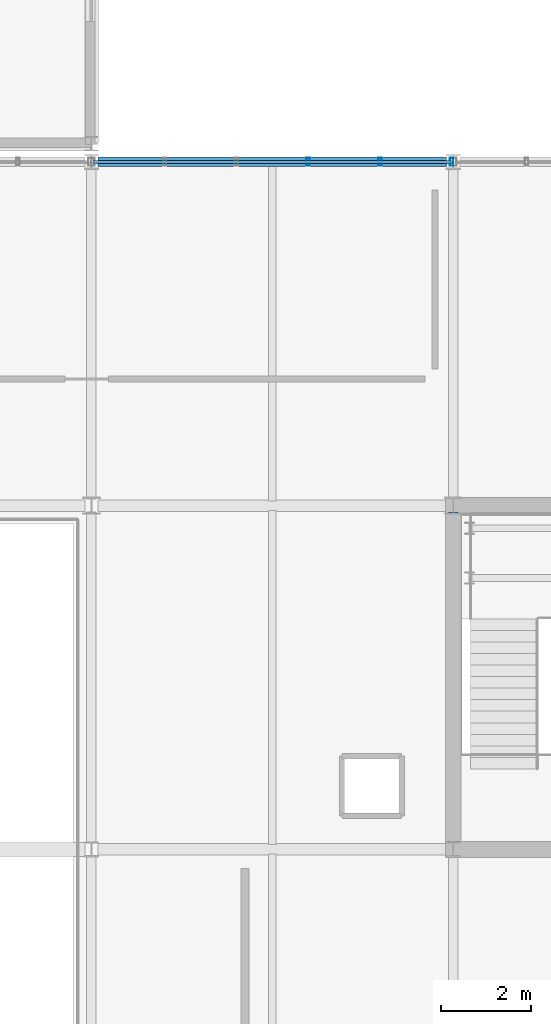
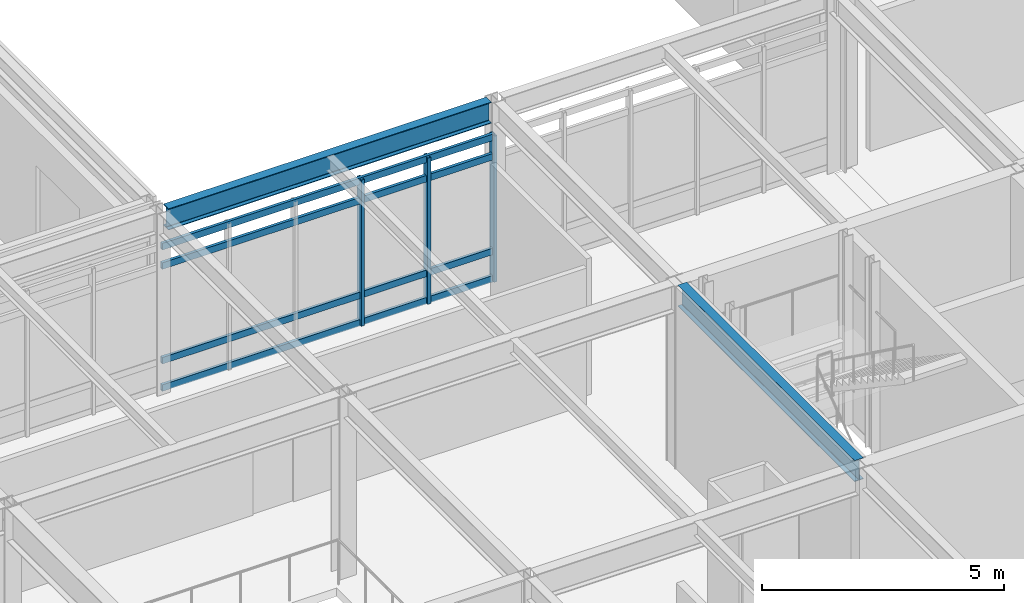
# One storey, part 53 of 104: 7 members, 2 beams, 1 element without a shape of its own.
"""IFC4 building model written with IfcOpenShell, lengths in metres."""

from ifc_helpers import new_model, si_unit, direction, frame, origin, origin_2d, place, context, subcontext, project, spatial, hollow_rectangle, i_section, extrude, material, material_profile, profile_set, type_object, element, aggregate, save


model = new_model("IFC4")

# Units and contexts
model_context = context("Model", 3, precision=1e-05, world=origin(), true_north=direction((0.0, 1.0)))
body_context = subcontext(model_context, "Body", "Model", "MODEL_VIEW")
ifc_project = project(units=[si_unit("LENGTHUNIT", "METRE"), si_unit("AREAUNIT", "SQUARE_METRE"), si_unit("VOLUMEUNIT", "CUBIC_METRE"), si_unit("PLANEANGLEUNIT", "RADIAN"), si_unit("MASSUNIT", "GRAM", prefix="KILO")], contexts=[model_context])

# Site, building, storey
site_placement = place(None, origin())
site = spatial("IfcSite", under=ifc_project, at=site_placement, CompositionType="ELEMENT")
building_placement = place(site_placement, origin())
building = spatial("IfcBuilding", under=site, at=building_placement, Name="Zulena Civic Courthouse", CompositionType="ELEMENT")
storey_placement = place(building_placement, frame((0.0, 0.0, 15.60009765625)))
storey = spatial("IfcBuildingStorey", under=building, at=storey_placement, Name="L03", CompositionType="ELEMENT", Elevation=15.60009765625)

# Curtain wall, members
ifc_material_1 = material(Name="Double-silver low-E laminated solar-control glass", Category="glass")
curtain_wall_type = type_object("IfcCurtainWallType", Name="CW_7928x3690", PredefinedType="USERDEFINED", material=ifc_material_1)
curtain_wall_placement = place(storey_placement, origin())
curtain_wall = element("IfcCurtainWall", 1, at=curtain_wall_placement, inside=storey, type_object=curtain_wall_type, Name="cw:V4:L03:1:5", ObjectType="UNITISED CURTAIN WALL", PredefinedType="USERDEFINED")
ifc_material_2 = material(Name="Bronze anodised thermally broken aluminium AA6063-T6", Category="aluminium")
ifc_material_profile_1 = material_profile(ifc_material_2, hollow_rectangle(XDim=0.074951171875, YDim=0.179931640625, WallThickness=0.0048828125, at=origin_2d()), Name="CWM180X75X5")
ifc_profile_set_1 = profile_set([ifc_material_profile_1], Name="Bronze anodised thermally broken aluminium AA6063-T6")
member_type_1 = type_object("IfcMemberType", Name="CWMullion_180x75", PredefinedType="MULLION", material=ifc_profile_set_1)
member_1_placement = place(storey_placement, frame((112.792724609375, 45.60009765625, 0.0), z_axis=(0.0, 0.0, 1.0), x_axis=(1.0, 0.0, 0.0)))
member_1 = element("IfcMember", 2, at=member_1_placement, type_object=member_type_1, Name="cw:V4:L03:1:5:mull:3", PredefinedType="MULLION", context=body_context, shape_type="SweptSolid", body=[
    extrude(hollow_rectangle(XDim=0.074951171875, YDim=0.179931640625, WallThickness=0.0048828125, at=origin_2d()), origin(), (0.0, 0.0, 1.0), 3.68994140625),
])
member_2_placement = place(storey_placement, frame((114.37841796875, 45.60009765625, 0.0), z_axis=(0.0, 0.0, 1.0), x_axis=(1.0, 0.0, 0.0)))
member_2 = element("IfcMember", 3, at=member_2_placement, type_object=member_type_1, Name="cw:V4:L03:1:5:mull:4", PredefinedType="MULLION", context=body_context, shape_type="SweptSolid", body=[
    extrude(hollow_rectangle(XDim=0.074951171875, YDim=0.179931640625, WallThickness=0.0048828125, at=origin_2d()), origin(), (0.0, 0.0, 1.0), 3.68994140625),
])
member_3_placement = place(storey_placement, frame((115.964111328125, 45.60009765625, 0.0), z_axis=(0.0, 0.0, 1.0), x_axis=(1.0, 0.0, 0.0)))
member_3 = element("IfcMember", 4, at=member_3_placement, type_object=member_type_1, Name="cw:V4:L03:1:5:mull:5", PredefinedType="MULLION", context=body_context, shape_type="SweptSolid", body=[
    extrude(hollow_rectangle(XDim=0.074951171875, YDim=0.179931640625, WallThickness=0.0048828125, at=origin_2d()), origin(), (0.0, 0.0, 1.0), 3.68994140625),
])
ifc_material_profile_2 = material_profile(ifc_material_2, hollow_rectangle(XDim=0.070068359375, YDim=0.1650390625, WallThickness=0.00390625, at=origin_2d()), Name="CWT165X70X4")
ifc_profile_set_2 = profile_set([ifc_material_profile_2], Name="Bronze anodised thermally broken aluminium AA6063-T6")
member_type_2 = type_object("IfcMemberType", Name="CWTransom_165x70", PredefinedType="USERDEFINED", material=ifc_profile_set_2)
member_4_placement = place(storey_placement, frame((108.035888671875, 45.60009765625, 0.059814453125), z_axis=(1.0, 0.0, 0.0), x_axis=(0.0, 1.0, 0.0)))
member_4 = element("IfcMember", 5, at=member_4_placement, type_object=member_type_2, Name="cw:V4:L03:1:5:tran:0", ObjectType="TRANSOM", PredefinedType="USERDEFINED", context=body_context, shape_type="SweptSolid", body=[
    extrude(hollow_rectangle(XDim=0.070068359375, YDim=0.1650390625, WallThickness=0.00390625, at=origin_2d()), origin(), (0.0, 0.0, 1.0), 7.92822265625),
])
member_5_placement = place(storey_placement, frame((108.035888671875, 45.60009765625, 0.75), z_axis=(1.0, 0.0, 0.0), x_axis=(0.0, 1.0, 0.0)))
member_5 = element("IfcMember", 6, at=member_5_placement, type_object=member_type_2, Name="cw:V4:L03:1:5:tran:1", ObjectType="TRANSOM", PredefinedType="USERDEFINED", context=body_context, shape_type="SweptSolid", body=[
    extrude(hollow_rectangle(XDim=0.070068359375, YDim=0.1650390625, WallThickness=0.00390625, at=origin_2d()), origin(), (0.0, 0.0, 1.0), 7.92822265625),
])
member_6_placement = place(storey_placement, frame((108.035888671875, 45.60009765625, 3.139892578125), z_axis=(1.0, 0.0, 0.0), x_axis=(0.0, 1.0, 0.0)))
member_6 = element("IfcMember", 7, at=member_6_placement, type_object=member_type_2, Name="cw:V4:L03:1:5:tran:2", ObjectType="TRANSOM", PredefinedType="USERDEFINED", context=body_context, shape_type="SweptSolid", body=[
    extrude(hollow_rectangle(XDim=0.070068359375, YDim=0.1650390625, WallThickness=0.00390625, at=origin_2d()), origin(), (0.0, 0.0, 1.0), 7.92822265625),
])
member_7_placement = place(storey_placement, frame((108.035888671875, 45.60009765625, 3.6298828125), z_axis=(1.0, 0.0, 0.0), x_axis=(0.0, 1.0, 0.0)))
member_7 = element("IfcMember", 8, at=member_7_placement, type_object=member_type_2, Name="cw:V4:L03:1:5:tran:3", ObjectType="TRANSOM", PredefinedType="USERDEFINED", context=body_context, shape_type="SweptSolid", body=[
    extrude(hollow_rectangle(XDim=0.070068359375, YDim=0.1650390625, WallThickness=0.00390625, at=origin_2d()), origin(), (0.0, 0.0, 1.0), 7.92822265625),
])
aggregate(curtain_wall, [member_1, member_2, member_3, member_4, member_5, member_6, member_7])

# Beams
ifc_material_3 = material(Name="Steel ASTM A992 Grade 50", Category="steel")
ifc_material_profile_3 = material_profile(ifc_material_3, i_section(OverallWidth=0.2099609375, OverallDepth=0.537109375, WebThickness=0.010986328125, FlangeThickness=0.017333984375, FilletRadius=0.0126953125, at=origin_2d()), Name="W21X68")
ifc_profile_set_3 = profile_set([ifc_material_profile_3], Name="Steel ASTM A992 Grade 50")
beam_type_1 = type_object("IfcBeamType", Name="Girder_W21X68", PredefinedType="BEAM", material=ifc_profile_set_3)
beam_1_placement = place(storey_placement, frame((116.0, 30.544921875, 4.3212890625), z_axis=(0.0, 1.0, 0.0), x_axis=(-1.0, 0.0, 0.0)))
element("IfcBeam", 9, at=beam_1_placement, inside=storey, type_object=beam_type_1, Name="beam:Y:V4:L03:116.0:30.4_38.0", PredefinedType="BEAM", context=body_context, shape_type="SweptSolid", body=[
    extrude(i_section(OverallWidth=0.2099609375, OverallDepth=0.537109375, WebThickness=0.010986328125, FlangeThickness=0.017333984375, FilletRadius=0.0126953125, at=origin_2d()), origin(), (0.0, 0.0, 1.0), 7.31005859375),
])
ifc_material_profile_4 = material_profile(ifc_material_3, i_section(OverallWidth=0.2099609375, OverallDepth=0.537109375, WebThickness=0.010986328125, FlangeThickness=0.017333984375, FilletRadius=0.0126953125, at=origin_2d()), Name="W21X68")
ifc_profile_set_4 = profile_set([ifc_material_profile_4], Name="Steel ASTM A992 Grade 50")
beam_type_2 = type_object("IfcBeamType", Name="Spandrel_W21X68", PredefinedType="SPANDREL", material=ifc_profile_set_4)
beam_2_placement = place(storey_placement, frame((108.14501953125, 45.60009765625, 4.3212890625), z_axis=(1.0, 0.0, 0.0), x_axis=(0.0, 1.0, 0.0)))
element("IfcBeam", 10, at=beam_2_placement, inside=storey, type_object=beam_type_2, Name="beam:X:V4:L03:45.6:108.0_116.0", PredefinedType="SPANDREL", context=body_context, shape_type="SweptSolid", body=[
    extrude(i_section(OverallWidth=0.2099609375, OverallDepth=0.537109375, WebThickness=0.010986328125, FlangeThickness=0.017333984375, FilletRadius=0.0126953125, at=origin_2d()), origin(), (0.0, 0.0, 1.0), 7.7099609375),
])

save(model, "model.ifc")
